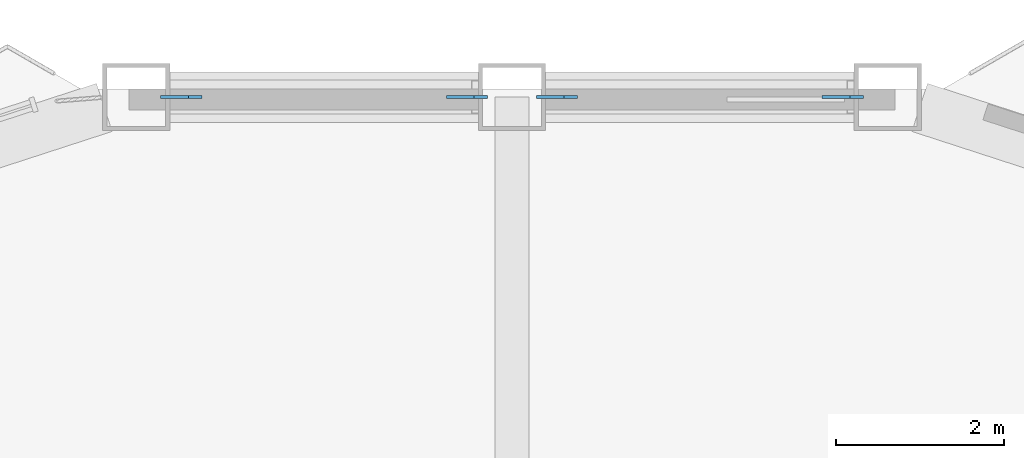
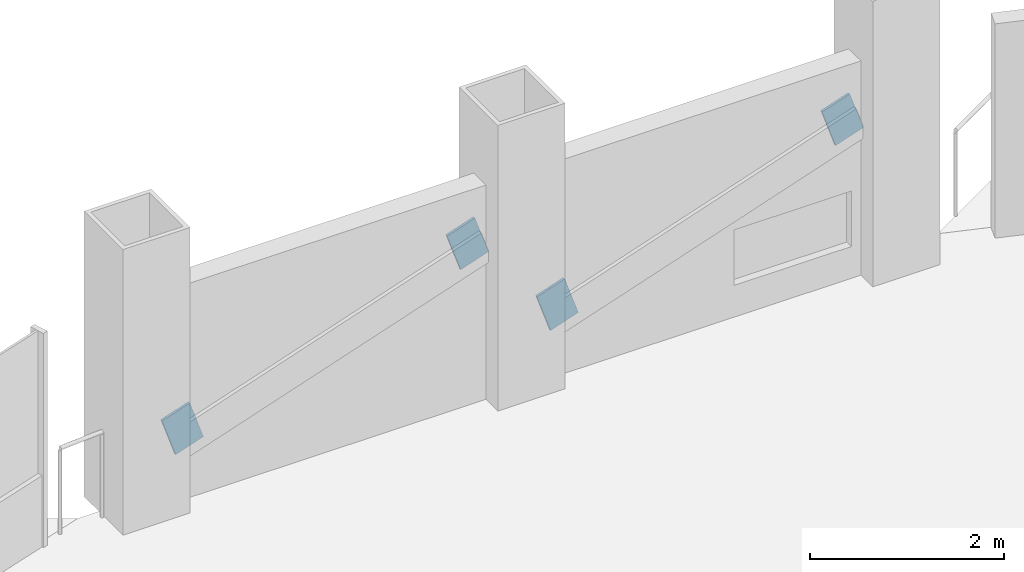
# One storey, part 18 of 23: 4 discrete accessories.
"""IFC4 building model written with IfcOpenShell, lengths in metres."""

from ifc_helpers import new_model, si_unit, direction, frame, origin, origin_2d, place, context, subcontext, project, spatial, rectangle, extrude, material, material_profile, profile_set, type_object, element, save


model = new_model("IFC4")

# Units and contexts
model_context = context("Model", 3, precision=1e-05, world=origin(), true_north=direction((0.0, 1.0)))
body_context = subcontext(model_context, "Body", "Model", "MODEL_VIEW")
ifc_project = project(units=[si_unit("LENGTHUNIT", "METRE"), si_unit("AREAUNIT", "SQUARE_METRE"), si_unit("VOLUMEUNIT", "CUBIC_METRE"), si_unit("PLANEANGLEUNIT", "RADIAN"), si_unit("MASSUNIT", "GRAM", prefix="KILO")], contexts=[model_context])

# Site, building, storey
site_placement = place(None, origin())
site = spatial("IfcSite", under=ifc_project, at=site_placement, CompositionType="ELEMENT")
building_placement = place(site_placement, origin())
building = spatial("IfcBuilding", under=site, at=building_placement, Name="Cormorant Prow Tower", CompositionType="ELEMENT")
storey_placement = place(building_placement, frame((0.0, 0.0, 169.199951171875)))
storey = spatial("IfcBuildingStorey", under=building, at=storey_placement, Name="L35", CompositionType="ELEMENT", Elevation=169.199951171875)

# Discrete accessories
ifc_material = material(Name="Structural steel ASTM A500 Gr C", Category="steel")
ifc_material_profile = material_profile(ifc_material, rectangle(XDim=0.031982421875, YDim=0.506103515625, at=origin_2d()), Name="Gusset plate 32x506")
ifc_profile_set = profile_set([ifc_material_profile], Name="Structural steel ASTM A500 Gr C")
discrete_accessory_type = type_object("IfcDiscreteAccessoryType", Name="Gusset plate 32x506", PredefinedType="BRACKET", material=ifc_profile_set)
discrete_accessory_1_placement = place(storey_placement, frame((0.701416015625, 32.3994140625, 0.835693359375), z_axis=(-0.947843027885, 0.0, -0.318737500915), x_axis=(0.0, -1.0, 0.0)))
element("IfcDiscreteAccessory", 1, at=discrete_accessory_1_placement, inside=storey, type_object=discrete_accessory_type, Name="Gusset plate GP2 L35.N00.g0", PredefinedType="BRACKET", context=body_context, shape_type="SweptSolid", body=[
    extrude(rectangle(XDim=0.031982421875, YDim=0.506103515625, at=origin_2d()), origin(), (0.0, 0.0, 1.0), 0.35009765625),
])
discrete_accessory_2_placement = place(storey_placement, frame((3.768798828125, 32.3994140625, 1.865478515625), z_axis=(0.948053578163, 0.0, 0.318110692893), x_axis=(0.0, 1.0, 0.0)))
element("IfcDiscreteAccessory", 2, at=discrete_accessory_2_placement, inside=storey, type_object=discrete_accessory_type, Name="Gusset plate GP2 L35.N00.g1", PredefinedType="BRACKET", context=body_context, shape_type="SweptSolid", body=[
    extrude(rectangle(XDim=0.031982421875, YDim=0.506103515625, at=origin_2d()), origin(), (0.0, 0.0, 1.0), 0.349853515625),
])
discrete_accessory_3_placement = place(storey_placement, frame((-3.768798828125, 32.3994140625, 0.835693359375), z_axis=(-0.947843027885, 0.0, -0.318737500915), x_axis=(0.0, -1.0, 0.0)))
element("IfcDiscreteAccessory", 3, at=discrete_accessory_3_placement, inside=storey, type_object=discrete_accessory_type, Name="Gusset plate GP2 L35.N01.g0", PredefinedType="BRACKET", context=body_context, shape_type="SweptSolid", body=[
    extrude(rectangle(XDim=0.031982421875, YDim=0.506103515625, at=origin_2d()), origin(), (0.0, 0.0, 1.0), 0.35009765625),
])
discrete_accessory_4_placement = place(storey_placement, frame((-0.701416015625, 32.3994140625, 1.865478515625), z_axis=(0.948053578163, 0.0, 0.318110692893), x_axis=(0.0, 1.0, 0.0)))
element("IfcDiscreteAccessory", 4, at=discrete_accessory_4_placement, inside=storey, type_object=discrete_accessory_type, Name="Gusset plate GP2 L35.N01.g1", PredefinedType="BRACKET", context=body_context, shape_type="SweptSolid", body=[
    extrude(rectangle(XDim=0.031982421875, YDim=0.506103515625, at=origin_2d()), origin(), (0.0, 0.0, 1.0), 0.349853515625),
])

save(model, "model.ifc")
